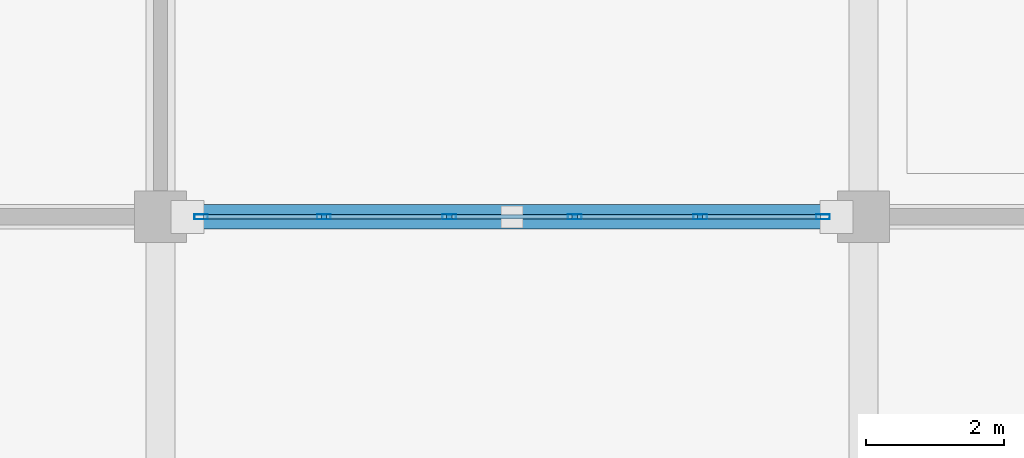
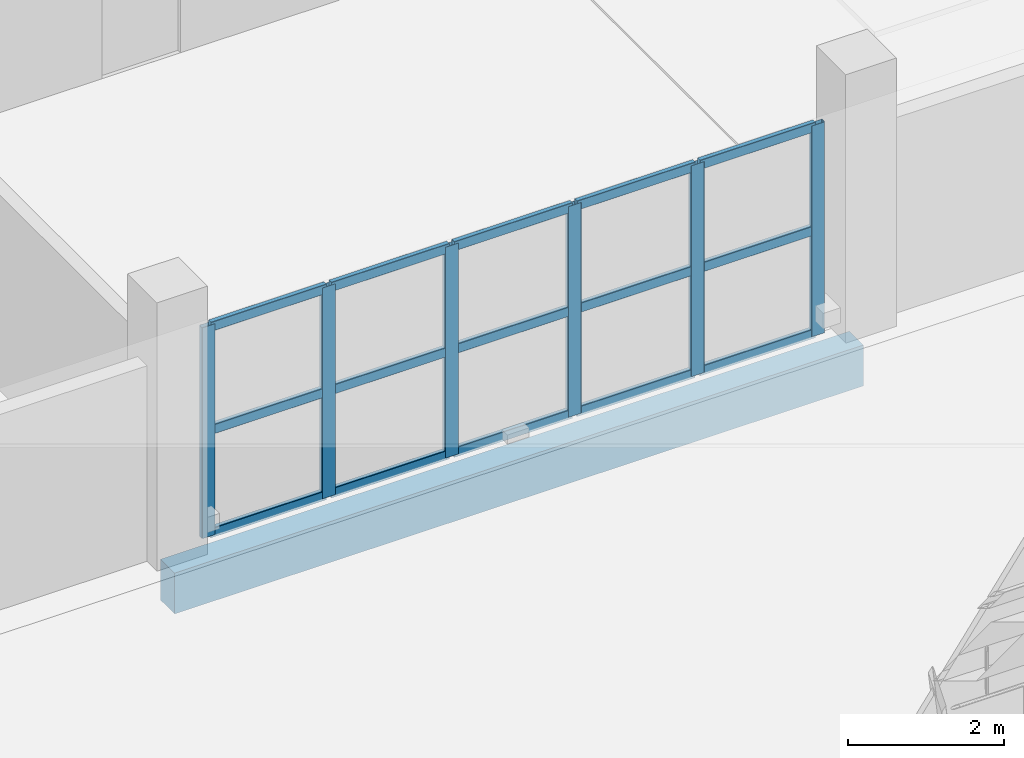
# One storey, part 42 of 157: 21 members, 1 beam, 1 element without a shape of its own.
"""IFC4 building model written with IfcOpenShell, lengths in metres."""

import ifcopenshell
import ifcopenshell.guid

model = None  # the IFC model being written
_history = None  # IfcOwnerHistory: only IFC2X3 demands one
_inside = {}  # id of a spatial element -> (the spatial element, [elements in it])
_under = {}  # id of a project, library or spatial element -> (it, [spatial elements below it])
_declared = {}  # id of a project -> (the project, [libraries it declares])
_typed = {}  # id of a type object -> (the type object, [elements of that type])
_made_of = {}  # id of a material, layer set ... -> (it, [elements and type objects made of it])


def new_model(schema):
    """Start an empty IFC model of exactly this schema.

    Asked for "IFC4X3", IfcOpenShell would pick the latest addendum, in which some entities
    have other attributes; the version numbers below select the first issue.
    IFC2X3 requires an IfcOwnerHistory on every rooted entity: one is made here for all.
    """
    global model, _history
    if schema == "IFC4X3":
        model = ifcopenshell.file(schema_version=(4, 3, 0, 0))
    else:
        model = ifcopenshell.file(schema=schema)
    _inside.clear()
    _under.clear()
    _declared.clear()
    _typed.clear()
    _made_of.clear()
    _history = None
    if model.schema == "IFC2X3":
        org = make("IfcOrganization", Name="unknown")
        user = make(
            "IfcPersonAndOrganization",
            ThePerson=make("IfcPerson", FamilyName="unknown"),
            TheOrganization=org,
        )
        app = make(
            "IfcApplication",
            ApplicationDeveloper=org,
            Version="unknown",
            ApplicationFullName="unknown",
            ApplicationIdentifier="unknown",
        )
        _history = make(
            "IfcOwnerHistory",
            OwningUser=user,
            OwningApplication=app,
            ChangeAction="ADDED",
            CreationDate=0,
        )
    return model


def make(cls, **values):
    """One entity of the class cls with the attributes given. An attribute that is None is left unset."""
    return model.create_entity(
        cls, **{name: value for name, value in values.items() if value is not None}
    )


def rooted(cls, **values):
    """An entity with a GlobalId (a new one), such as an element, a storey or a relation."""
    return make(cls, GlobalId=ifcopenshell.guid.new(), OwnerHistory=_history, **values)


def si_unit(unit_type, name, prefix=None):
    """IfcSIUnit, for example si_unit("LENGTHUNIT", "METRE", prefix="MILLI")."""
    return make("IfcSIUnit", UnitType=unit_type, Prefix=prefix, Name=name)


def assignment(units):
    """IfcUnitAssignment: the units of a project."""
    return None if units is None else make("IfcUnitAssignment", Units=units)


def point(xyz):
    """IfcCartesianPoint."""
    return None if xyz is None else make("IfcCartesianPoint", Coordinates=xyz)


def direction(xyz):
    """IfcDirection."""
    return None if xyz is None else make("IfcDirection", DirectionRatios=xyz)


def frame(location, z_axis=None, x_axis=None):
    """IfcAxis2Placement3D, a coordinate frame: its origin and axes. An axis left out is left unset."""
    return make(
        "IfcAxis2Placement3D",
        Location=point(location),
        Axis=direction(z_axis),
        RefDirection=direction(x_axis),
    )


def frame_2d(location, x_axis=None):
    """IfcAxis2Placement2D, a coordinate frame in the plane: its origin and x axis."""
    return make(
        "IfcAxis2Placement2D", Location=point(location), RefDirection=direction(x_axis)
    )


def origin():
    """The frame at (0, 0, 0) with its axes left unset."""
    return frame((0.0, 0.0, 0.0))


def origin_2d():
    """The frame at (0, 0) in the plane with its x axis left unset."""
    return frame_2d((0.0, 0.0))


def place(relative_to, where):
    """IfcLocalPlacement: puts the frame where relative to a parent placement (None: the world)."""
    return make(
        "IfcLocalPlacement", PlacementRelTo=relative_to, RelativePlacement=where
    )


def context(
    kind, dimensions, precision=None, world=None, true_north=None, identifier=None
):
    """IfcGeometricRepresentationContext, for example the 3D "Model" context."""
    return make(
        "IfcGeometricRepresentationContext",
        ContextIdentifier=identifier,
        ContextType=kind,
        CoordinateSpaceDimension=dimensions,
        Precision=precision,
        WorldCoordinateSystem=world,
        TrueNorth=true_north,
    )


def subcontext(parent, identifier, kind, view, scale=None):
    """IfcGeometricRepresentationSubContext, for example "Body" below "Model"."""
    return make(
        "IfcGeometricRepresentationSubContext",
        ContextIdentifier=identifier,
        ContextType=kind,
        ParentContext=parent,
        TargetScale=scale,
        TargetView=view,
    )


def project(units=None, contexts=None):
    """IfcProject with its units and contexts."""
    return rooted(
        "IfcProject",
        Name="project",
        RepresentationContexts=contexts,
        UnitsInContext=assignment(units),
    )


def spatial(cls, under=None, at=None, **own):
    """A site, building, storey or space (cls), placed at a placement, below another one or the project."""
    s = rooted(cls, ObjectPlacement=at, **own)
    if under is not None:
        _under.setdefault(under.id(), (under, []))[1].append(s)
    return s


def profile(cls, at=None, kind="AREA", **sizes):
    """A parametric profile (cls). Its sizes go by their IFC names, for example OverallWidth=200.0."""
    return make(cls, ProfileType=kind, Position=at, **sizes)


def rectangle(**sizes):
    """IfcRectangleProfileDef."""
    return profile("IfcRectangleProfileDef", **sizes)


def hollow_rectangle(**sizes):
    """IfcRectangleHollowProfileDef."""
    return profile("IfcRectangleHollowProfileDef", **sizes)


def extrude(swept, where, along, depth):
    """IfcExtrudedAreaSolid: the profile swept, set in the frame where, extruded along a direction by depth."""
    return make(
        "IfcExtrudedAreaSolid",
        SweptArea=swept,
        Position=where,
        ExtrudedDirection=direction(along),
        Depth=depth,
    )


def shape(context_of_items, identifier, shape_type, items):
    """IfcShapeRepresentation: the items that make up one representation, for example the "Body"."""
    return make(
        "IfcShapeRepresentation",
        ContextOfItems=context_of_items,
        RepresentationIdentifier=identifier,
        RepresentationType=shape_type,
        Items=items,
    )


def material(Name=None, Category=None):
    """IfcMaterial."""
    return make("IfcMaterial", Name=Name, Category=Category)


def material_profile(
    of_material, cross_section, Name=None, Category=None, Priority=None
):
    """IfcMaterialProfile: a cross section and its material."""
    return make(
        "IfcMaterialProfile",
        Name=Name,
        Material=of_material,
        Profile=cross_section,
        Priority=Priority,
        Category=Category,
    )


def profile_set(profiles, Name=None, composite=None):
    """IfcMaterialProfileSet."""
    return make(
        "IfcMaterialProfileSet",
        Name=Name,
        MaterialProfiles=profiles,
        CompositeProfile=composite,
    )


def made_of(thing, what):
    """Note that an element or type object is made of a material, layer set ...; save() writes the relation."""
    if what is not None:
        _made_of.setdefault(what.id(), (what, []))[1].append(thing)
    return thing


def type_object(cls, material=None, **own):
    """A type object (cls), such as IfcWallType, which elements share."""
    return made_of(rooted(cls, **own), material)


def element(
    cls,
    number,
    at=None,
    inside=None,
    cuts=None,
    type_object=None,
    material=None,
    context=None,
    identifier="Body",
    shape_type=None,
    held_by="IfcProductDefinitionShape",
    body=None,
    shapes=None,
    **own,
):
    """One element of the class cls, such as IfcWall. Its Tag is "e" and its number.

    at: its placement. inside: the storey or other place that contains it. cuts: it is an
    opening in that element (IfcRelVoidsElement). A single representation is given by context,
    identifier, shape_type and body (its items); several are given by shapes. held_by: the class
    of the entity that holds the representations. save() writes the other relations.
    """
    e = rooted(cls, Tag="e%d" % number, ObjectPlacement=at, **own)
    if body is not None:
        shapes = [shape(context, identifier, shape_type, body)]
    if shapes is not None:
        e.Representation = make(held_by, Representations=shapes)
    if inside is not None:
        _inside.setdefault(inside.id(), (inside, []))[1].append(e)
    if cuts is not None:
        rooted(
            "IfcRelVoidsElement", RelatingBuildingElement=cuts, RelatedOpeningElement=e
        )
    if type_object is not None:
        _typed.setdefault(type_object.id(), (type_object, []))[1].append(e)
    return made_of(e, material)


def aggregate(whole, parts):
    """IfcRelAggregates: a whole, such as a stair, and the parts it consists of."""
    return rooted("IfcRelAggregates", RelatingObject=whole, RelatedObjects=parts)


def save(model, path):
    """Write the relations noted so far, then the file.

    IfcRelAggregates (storeys below a building ...), IfcRelContainedInSpatialStructure (elements
    in a storey), IfcRelDefinesByType, IfcRelAssociatesMaterial and IfcRelDeclares: one each for
    every whole, place, type object, material and project.
    """
    for whole, parts in _under.values():
        aggregate(whole, parts)
    for where, things in _inside.values():
        rooted(
            "IfcRelContainedInSpatialStructure",
            RelatedElements=things,
            RelatingStructure=where,
        )
    for kind, things in _typed.values():
        rooted("IfcRelDefinesByType", RelatedObjects=things, RelatingType=kind)
    for what, things in _made_of.values():
        rooted("IfcRelAssociatesMaterial", RelatedObjects=things, RelatingMaterial=what)
    for by, libraries in _declared.values():
        rooted("IfcRelDeclares", RelatingContext=by, RelatedDefinitions=libraries)
    model.write(path)


model = new_model("IFC4")

# Units and contexts
model_context = context("Model", 3, precision=1e-05, world=origin(), true_north=direction((0.0, 1.0)))
body_context = subcontext(model_context, "Body", "Model", "MODEL_VIEW")
ifc_project = project(units=[si_unit("LENGTHUNIT", "METRE"), si_unit("AREAUNIT", "SQUARE_METRE"), si_unit("VOLUMEUNIT", "CUBIC_METRE"), si_unit("PLANEANGLEUNIT", "RADIAN"), si_unit("MASSUNIT", "GRAM", prefix="KILO")], contexts=[model_context])

# Site, building, storey
site_placement = place(None, origin())
site = spatial("IfcSite", under=ifc_project, at=site_placement, CompositionType="ELEMENT")
building_placement = place(site_placement, origin())
building = spatial("IfcBuilding", under=site, at=building_placement, Name="Brelvane Convention Centre", CompositionType="ELEMENT")
storey_placement = place(building_placement, frame((0.0, 0.0, 10.800048828125)))
storey = spatial("IfcBuildingStorey", under=building, at=storey_placement, Name="L02", CompositionType="ELEMENT", Elevation=10.800048828125)

# Curtain wall, members
ifc_material_1 = material(Name="Anodised Aluminium Alloy 6063-T6", Category="aluminium")
curtain_wall_type = type_object("IfcCurtainWallType", Name="Curtain Wall CW-COURT", PredefinedType="USERDEFINED", material=ifc_material_1)
curtain_wall_placement = place(storey_placement, origin())
curtain_wall = element("IfcCurtainWall", 1, at=curtain_wall_placement, inside=storey, type_object=curtain_wall_type, Name="Curtain Wall CW-COURT L02-V4S-07", ObjectType="UNITISED", PredefinedType="USERDEFINED")
ifc_material_2 = material(Name="Anodised Aluminium Alloy 6063-T6", Category="aluminium")
ifc_material_profile_1 = material_profile(ifc_material_2, hollow_rectangle(XDim=0.074951171875, YDim=0.199951171875, WallThickness=0.0048828125, InnerFilletRadius=0.0048828125, OuterFilletRadius=0.010009765625, at=origin_2d()), Name="ALU-M 200x75x5.0")
ifc_profile_set_1 = profile_set([ifc_material_profile_1], Name="Anodised Aluminium Alloy 6063-T6")
member_type_1 = type_object("IfcMemberType", Name="Curtain Mullion CW-M2", PredefinedType="MULLION", material=ifc_profile_set_1)
member_1_placement = place(storey_placement, frame((61.78759765625, 109.199951171875, 0.0), z_axis=(0.0, 0.0, 1.0), x_axis=(0.0, 1.0, 0.0)))
member_1 = element("IfcMember", 2, at=member_1_placement, type_object=member_type_1, Name="CW-COURT mullion 1", PredefinedType="MULLION", context=body_context, shape_type="SweptSolid", body=[
    extrude(hollow_rectangle(XDim=0.074951171875, YDim=0.199951171875, WallThickness=0.0048828125, InnerFilletRadius=0.0048828125, OuterFilletRadius=0.010009765625, at=origin_2d()), origin(), (0.0, 0.0, 1.0), 3.300048828125),
])
member_2_placement = place(storey_placement, frame((63.570068359375, 109.199951171875, 0.0), z_axis=(0.0, 0.0, 1.0), x_axis=(0.0, 1.0, 0.0)))
member_2 = element("IfcMember", 3, at=member_2_placement, type_object=member_type_1, Name="CW-COURT mullion 2", PredefinedType="MULLION", context=body_context, shape_type="SweptSolid", body=[
    extrude(hollow_rectangle(XDim=0.074951171875, YDim=0.199951171875, WallThickness=0.0048828125, InnerFilletRadius=0.0048828125, OuterFilletRadius=0.010009765625, at=origin_2d()), origin(), (0.0, 0.0, 1.0), 3.300048828125),
])
member_3_placement = place(storey_placement, frame((65.389892578125, 109.199951171875, 0.0), z_axis=(0.0, 0.0, 1.0), x_axis=(0.0, 1.0, 0.0)))
member_3 = element("IfcMember", 4, at=member_3_placement, type_object=member_type_1, Name="CW-COURT mullion 3", PredefinedType="MULLION", context=body_context, shape_type="SweptSolid", body=[
    extrude(hollow_rectangle(XDim=0.074951171875, YDim=0.199951171875, WallThickness=0.0048828125, InnerFilletRadius=0.0048828125, OuterFilletRadius=0.010009765625, at=origin_2d()), origin(), (0.0, 0.0, 1.0), 3.300048828125),
])
member_4_placement = place(storey_placement, frame((67.2099609375, 109.199951171875, 0.0), z_axis=(0.0, 0.0, 1.0), x_axis=(0.0, 1.0, 0.0)))
member_4 = element("IfcMember", 5, at=member_4_placement, type_object=member_type_1, Name="CW-COURT mullion 4", PredefinedType="MULLION", context=body_context, shape_type="SweptSolid", body=[
    extrude(hollow_rectangle(XDim=0.074951171875, YDim=0.199951171875, WallThickness=0.0048828125, InnerFilletRadius=0.0048828125, OuterFilletRadius=0.010009765625, at=origin_2d()), origin(), (0.0, 0.0, 1.0), 3.300048828125),
])
member_5_placement = place(storey_placement, frame((69.030029296875, 109.199951171875, 0.0), z_axis=(0.0, 0.0, 1.0), x_axis=(0.0, 1.0, 0.0)))
member_5 = element("IfcMember", 6, at=member_5_placement, type_object=member_type_1, Name="CW-COURT mullion 5", PredefinedType="MULLION", context=body_context, shape_type="SweptSolid", body=[
    extrude(hollow_rectangle(XDim=0.074951171875, YDim=0.199951171875, WallThickness=0.0048828125, InnerFilletRadius=0.0048828125, OuterFilletRadius=0.010009765625, at=origin_2d()), origin(), (0.0, 0.0, 1.0), 3.300048828125),
])
member_6_placement = place(storey_placement, frame((70.8125, 109.199951171875, 0.0), z_axis=(0.0, 0.0, 1.0), x_axis=(0.0, 1.0, 0.0)))
member_6 = element("IfcMember", 7, at=member_6_placement, type_object=member_type_1, Name="CW-COURT mullion 6", PredefinedType="MULLION", context=body_context, shape_type="SweptSolid", body=[
    extrude(hollow_rectangle(XDim=0.074951171875, YDim=0.199951171875, WallThickness=0.0048828125, InnerFilletRadius=0.0048828125, OuterFilletRadius=0.010009765625, at=origin_2d()), origin(), (0.0, 0.0, 1.0), 3.300048828125),
])
ifc_material_3 = material(Name="Anodised Aluminium Alloy 6063-T6", Category="aluminium")
ifc_material_profile_2 = material_profile(ifc_material_3, hollow_rectangle(XDim=0.070068359375, YDim=0.14990234375, WallThickness=0.00439453125, InnerFilletRadius=0.00439453125, OuterFilletRadius=0.009033203125, at=origin_2d()), Name="ALU-T 150x70x4.5")
ifc_profile_set_2 = profile_set([ifc_material_profile_2], Name="Anodised Aluminium Alloy 6063-T6")
member_type_2 = type_object("IfcMemberType", Name="Curtain Transom CW-T2", PredefinedType="USERDEFINED", material=ifc_profile_set_2)
member_7_placement = place(storey_placement, frame((61.824951171875, 109.199951171875, 0.034912109375), z_axis=(1.0, 0.0, 0.0), x_axis=(0.0, 1.0, 0.0)))
member_7 = element("IfcMember", 8, at=member_7_placement, type_object=member_type_2, Name="CW-COURT transom 1.1", ObjectType="TRANSOM", PredefinedType="USERDEFINED", context=body_context, shape_type="SweptSolid", body=[
    extrude(hollow_rectangle(XDim=0.070068359375, YDim=0.14990234375, WallThickness=0.00439453125, InnerFilletRadius=0.00439453125, OuterFilletRadius=0.009033203125, at=origin_2d()), origin(), (0.0, 0.0, 1.0), 1.70751953125),
])
member_8_placement = place(storey_placement, frame((61.824951171875, 109.199951171875, 1.64990234375), z_axis=(1.0, 0.0, 0.0), x_axis=(0.0, 1.0, 0.0)))
member_8 = element("IfcMember", 9, at=member_8_placement, type_object=member_type_2, Name="CW-COURT transom 1.2", ObjectType="TRANSOM", PredefinedType="USERDEFINED", context=body_context, shape_type="SweptSolid", body=[
    extrude(hollow_rectangle(XDim=0.070068359375, YDim=0.14990234375, WallThickness=0.00439453125, InnerFilletRadius=0.00439453125, OuterFilletRadius=0.009033203125, at=origin_2d()), origin(), (0.0, 0.0, 1.0), 1.70751953125),
])
member_9_placement = place(storey_placement, frame((61.824951171875, 109.199951171875, 3.264892578125), z_axis=(1.0, 0.0, 0.0), x_axis=(0.0, 1.0, 0.0)))
member_9 = element("IfcMember", 10, at=member_9_placement, type_object=member_type_2, Name="CW-COURT transom 1.3", ObjectType="TRANSOM", PredefinedType="USERDEFINED", context=body_context, shape_type="SweptSolid", body=[
    extrude(hollow_rectangle(XDim=0.070068359375, YDim=0.14990234375, WallThickness=0.00439453125, InnerFilletRadius=0.00439453125, OuterFilletRadius=0.009033203125, at=origin_2d()), origin(), (0.0, 0.0, 1.0), 1.70751953125),
])
member_10_placement = place(storey_placement, frame((63.607421875, 109.199951171875, 0.034912109375), z_axis=(1.0, 0.0, 0.0), x_axis=(0.0, 1.0, 0.0)))
member_10 = element("IfcMember", 11, at=member_10_placement, type_object=member_type_2, Name="CW-COURT transom 2.1", ObjectType="TRANSOM", PredefinedType="USERDEFINED", context=body_context, shape_type="SweptSolid", body=[
    extrude(hollow_rectangle(XDim=0.070068359375, YDim=0.14990234375, WallThickness=0.00439453125, InnerFilletRadius=0.00439453125, OuterFilletRadius=0.009033203125, at=origin_2d()), origin(), (0.0, 0.0, 1.0), 1.7451171875),
])
member_11_placement = place(storey_placement, frame((63.607421875, 109.199951171875, 1.64990234375), z_axis=(1.0, 0.0, 0.0), x_axis=(0.0, 1.0, 0.0)))
member_11 = element("IfcMember", 12, at=member_11_placement, type_object=member_type_2, Name="CW-COURT transom 2.2", ObjectType="TRANSOM", PredefinedType="USERDEFINED", context=body_context, shape_type="SweptSolid", body=[
    extrude(hollow_rectangle(XDim=0.070068359375, YDim=0.14990234375, WallThickness=0.00439453125, InnerFilletRadius=0.00439453125, OuterFilletRadius=0.009033203125, at=origin_2d()), origin(), (0.0, 0.0, 1.0), 1.7451171875),
])
member_12_placement = place(storey_placement, frame((63.607421875, 109.199951171875, 3.264892578125), z_axis=(1.0, 0.0, 0.0), x_axis=(0.0, 1.0, 0.0)))
member_12 = element("IfcMember", 13, at=member_12_placement, type_object=member_type_2, Name="CW-COURT transom 2.3", ObjectType="TRANSOM", PredefinedType="USERDEFINED", context=body_context, shape_type="SweptSolid", body=[
    extrude(hollow_rectangle(XDim=0.070068359375, YDim=0.14990234375, WallThickness=0.00439453125, InnerFilletRadius=0.00439453125, OuterFilletRadius=0.009033203125, at=origin_2d()), origin(), (0.0, 0.0, 1.0), 1.7451171875),
])
member_13_placement = place(storey_placement, frame((65.427490234375, 109.199951171875, 0.034912109375), z_axis=(1.0, 0.0, 0.0), x_axis=(0.0, 1.0, 0.0)))
member_13 = element("IfcMember", 14, at=member_13_placement, type_object=member_type_2, Name="CW-COURT transom 3.1", ObjectType="TRANSOM", PredefinedType="USERDEFINED", context=body_context, shape_type="SweptSolid", body=[
    extrude(hollow_rectangle(XDim=0.070068359375, YDim=0.14990234375, WallThickness=0.00439453125, InnerFilletRadius=0.00439453125, OuterFilletRadius=0.009033203125, at=origin_2d()), origin(), (0.0, 0.0, 1.0), 1.7451171875),
])
member_14_placement = place(storey_placement, frame((65.427490234375, 109.199951171875, 1.64990234375), z_axis=(1.0, 0.0, 0.0), x_axis=(0.0, 1.0, 0.0)))
member_14 = element("IfcMember", 15, at=member_14_placement, type_object=member_type_2, Name="CW-COURT transom 3.2", ObjectType="TRANSOM", PredefinedType="USERDEFINED", context=body_context, shape_type="SweptSolid", body=[
    extrude(hollow_rectangle(XDim=0.070068359375, YDim=0.14990234375, WallThickness=0.00439453125, InnerFilletRadius=0.00439453125, OuterFilletRadius=0.009033203125, at=origin_2d()), origin(), (0.0, 0.0, 1.0), 1.7451171875),
])
member_15_placement = place(storey_placement, frame((65.427490234375, 109.199951171875, 3.264892578125), z_axis=(1.0, 0.0, 0.0), x_axis=(0.0, 1.0, 0.0)))
member_15 = element("IfcMember", 16, at=member_15_placement, type_object=member_type_2, Name="CW-COURT transom 3.3", ObjectType="TRANSOM", PredefinedType="USERDEFINED", context=body_context, shape_type="SweptSolid", body=[
    extrude(hollow_rectangle(XDim=0.070068359375, YDim=0.14990234375, WallThickness=0.00439453125, InnerFilletRadius=0.00439453125, OuterFilletRadius=0.009033203125, at=origin_2d()), origin(), (0.0, 0.0, 1.0), 1.7451171875),
])
member_16_placement = place(storey_placement, frame((67.24755859375, 109.199951171875, 0.034912109375), z_axis=(1.0, 0.0, 0.0), x_axis=(0.0, 1.0, 0.0)))
member_16 = element("IfcMember", 17, at=member_16_placement, type_object=member_type_2, Name="CW-COURT transom 4.1", ObjectType="TRANSOM", PredefinedType="USERDEFINED", context=body_context, shape_type="SweptSolid", body=[
    extrude(hollow_rectangle(XDim=0.070068359375, YDim=0.14990234375, WallThickness=0.00439453125, InnerFilletRadius=0.00439453125, OuterFilletRadius=0.009033203125, at=origin_2d()), origin(), (0.0, 0.0, 1.0), 1.744873046875),
])
member_17_placement = place(storey_placement, frame((67.24755859375, 109.199951171875, 1.64990234375), z_axis=(1.0, 0.0, 0.0), x_axis=(0.0, 1.0, 0.0)))
member_17 = element("IfcMember", 18, at=member_17_placement, type_object=member_type_2, Name="CW-COURT transom 4.2", ObjectType="TRANSOM", PredefinedType="USERDEFINED", context=body_context, shape_type="SweptSolid", body=[
    extrude(hollow_rectangle(XDim=0.070068359375, YDim=0.14990234375, WallThickness=0.00439453125, InnerFilletRadius=0.00439453125, OuterFilletRadius=0.009033203125, at=origin_2d()), origin(), (0.0, 0.0, 1.0), 1.744873046875),
])
member_18_placement = place(storey_placement, frame((67.24755859375, 109.199951171875, 3.264892578125), z_axis=(1.0, 0.0, 0.0), x_axis=(0.0, 1.0, 0.0)))
member_18 = element("IfcMember", 19, at=member_18_placement, type_object=member_type_2, Name="CW-COURT transom 4.3", ObjectType="TRANSOM", PredefinedType="USERDEFINED", context=body_context, shape_type="SweptSolid", body=[
    extrude(hollow_rectangle(XDim=0.070068359375, YDim=0.14990234375, WallThickness=0.00439453125, InnerFilletRadius=0.00439453125, OuterFilletRadius=0.009033203125, at=origin_2d()), origin(), (0.0, 0.0, 1.0), 1.744873046875),
])
member_19_placement = place(storey_placement, frame((69.0673828125, 109.199951171875, 0.034912109375), z_axis=(1.0, 0.0, 0.0), x_axis=(0.0, 1.0, 0.0)))
member_19 = element("IfcMember", 20, at=member_19_placement, type_object=member_type_2, Name="CW-COURT transom 5.1", ObjectType="TRANSOM", PredefinedType="USERDEFINED", context=body_context, shape_type="SweptSolid", body=[
    extrude(hollow_rectangle(XDim=0.070068359375, YDim=0.14990234375, WallThickness=0.00439453125, InnerFilletRadius=0.00439453125, OuterFilletRadius=0.009033203125, at=origin_2d()), origin(), (0.0, 0.0, 1.0), 1.70751953125),
])
member_20_placement = place(storey_placement, frame((69.0673828125, 109.199951171875, 1.64990234375), z_axis=(1.0, 0.0, 0.0), x_axis=(0.0, 1.0, 0.0)))
member_20 = element("IfcMember", 21, at=member_20_placement, type_object=member_type_2, Name="CW-COURT transom 5.2", ObjectType="TRANSOM", PredefinedType="USERDEFINED", context=body_context, shape_type="SweptSolid", body=[
    extrude(hollow_rectangle(XDim=0.070068359375, YDim=0.14990234375, WallThickness=0.00439453125, InnerFilletRadius=0.00439453125, OuterFilletRadius=0.009033203125, at=origin_2d()), origin(), (0.0, 0.0, 1.0), 1.70751953125),
])
member_21_placement = place(storey_placement, frame((69.0673828125, 109.199951171875, 3.264892578125), z_axis=(1.0, 0.0, 0.0), x_axis=(0.0, 1.0, 0.0)))
member_21 = element("IfcMember", 22, at=member_21_placement, type_object=member_type_2, Name="CW-COURT transom 5.3", ObjectType="TRANSOM", PredefinedType="USERDEFINED", context=body_context, shape_type="SweptSolid", body=[
    extrude(hollow_rectangle(XDim=0.070068359375, YDim=0.14990234375, WallThickness=0.00439453125, InnerFilletRadius=0.00439453125, OuterFilletRadius=0.009033203125, at=origin_2d()), origin(), (0.0, 0.0, 1.0), 1.70751953125),
])
aggregate(curtain_wall, [member_1, member_2, member_3, member_4, member_5, member_6, member_7, member_8, member_9, member_10, member_11, member_12, member_13, member_14, member_15, member_16, member_17, member_18, member_19, member_20, member_21])

# Beam
ifc_material_4 = material(Name="Concrete M40", Category="concrete")
ifc_material_profile_3 = material_profile(ifc_material_4, rectangle(XDim=0.360107421875, YDim=0.639892578125, at=origin_2d()), Name="RC 360x640")
ifc_profile_set_3 = profile_set([ifc_material_profile_3], Name="Concrete M40")
beam_type = type_object("IfcBeamType", Name="RC Spandrel SP-RC3 (RC 360x640)", PredefinedType="SPANDREL", material=ifc_profile_set_3)
beam_placement = place(storey_placement, frame((61.199951171875, 109.199951171875, -0.60009765625), z_axis=(1.0, 0.0, 0.0), x_axis=(0.0, 1.0, 0.0)))
element("IfcBeam", 23, at=beam_placement, inside=storey, type_object=beam_type, Name="L02 Beam 7-8/L", PredefinedType="SPANDREL", context=body_context, shape_type="SweptSolid", body=[
    extrude(rectangle(XDim=0.360107421875, YDim=0.639892578125, at=origin_2d()), origin(), (0.0, 0.0, 1.0), 10.199951171875),
])

save(model, "model.ifc")
